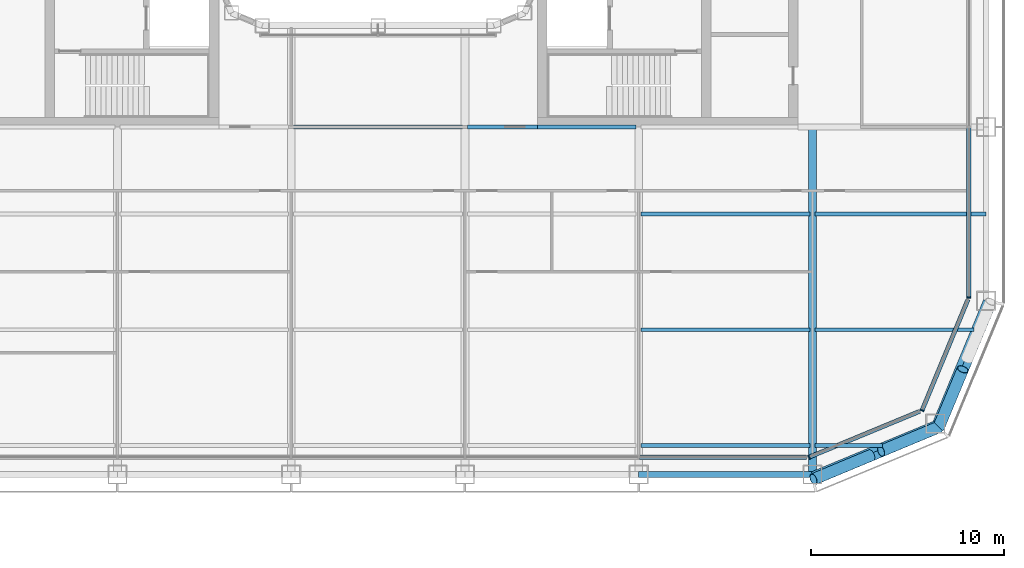
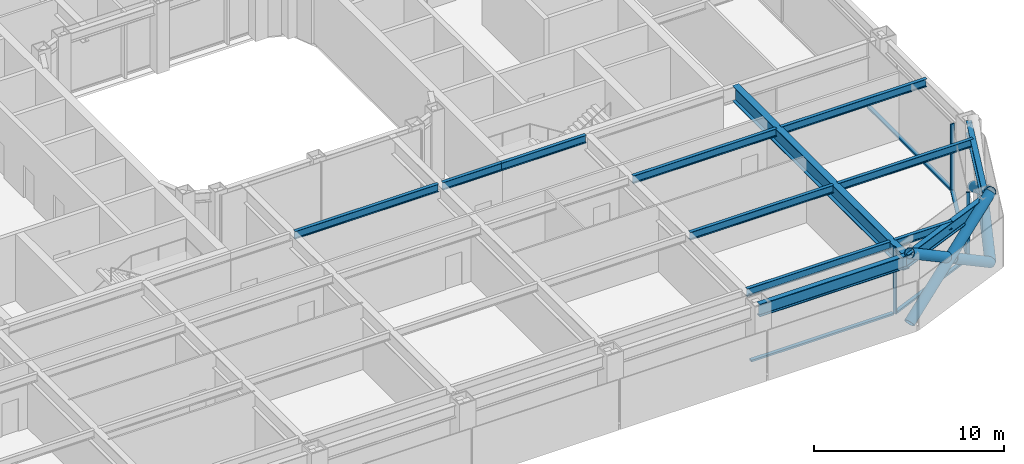
# One storey, part 4 of 27: 13 beams, 12 members, 4 elements without a shape of their own.
"""IFC4 building model written with IfcOpenShell, lengths in metres."""

import ifcopenshell
import ifcopenshell.guid

model = None  # the IFC model being written
_history = None  # IfcOwnerHistory: only IFC2X3 demands one
_inside = {}  # id of a spatial element -> (the spatial element, [elements in it])
_under = {}  # id of a project, library or spatial element -> (it, [spatial elements below it])
_declared = {}  # id of a project -> (the project, [libraries it declares])
_typed = {}  # id of a type object -> (the type object, [elements of that type])
_made_of = {}  # id of a material, layer set ... -> (it, [elements and type objects made of it])


def new_model(schema):
    """Start an empty IFC model of exactly this schema.

    Asked for "IFC4X3", IfcOpenShell would pick the latest addendum, in which some entities
    have other attributes; the version numbers below select the first issue.
    IFC2X3 requires an IfcOwnerHistory on every rooted entity: one is made here for all.
    """
    global model, _history
    if schema == "IFC4X3":
        model = ifcopenshell.file(schema_version=(4, 3, 0, 0))
    else:
        model = ifcopenshell.file(schema=schema)
    _inside.clear()
    _under.clear()
    _declared.clear()
    _typed.clear()
    _made_of.clear()
    _history = None
    if model.schema == "IFC2X3":
        org = make("IfcOrganization", Name="unknown")
        user = make(
            "IfcPersonAndOrganization",
            ThePerson=make("IfcPerson", FamilyName="unknown"),
            TheOrganization=org,
        )
        app = make(
            "IfcApplication",
            ApplicationDeveloper=org,
            Version="unknown",
            ApplicationFullName="unknown",
            ApplicationIdentifier="unknown",
        )
        _history = make(
            "IfcOwnerHistory",
            OwningUser=user,
            OwningApplication=app,
            ChangeAction="ADDED",
            CreationDate=0,
        )
    return model


def make(cls, **values):
    """One entity of the class cls with the attributes given. An attribute that is None is left unset."""
    return model.create_entity(
        cls, **{name: value for name, value in values.items() if value is not None}
    )


def rooted(cls, **values):
    """An entity with a GlobalId (a new one), such as an element, a storey or a relation."""
    return make(cls, GlobalId=ifcopenshell.guid.new(), OwnerHistory=_history, **values)


def si_unit(unit_type, name, prefix=None):
    """IfcSIUnit, for example si_unit("LENGTHUNIT", "METRE", prefix="MILLI")."""
    return make("IfcSIUnit", UnitType=unit_type, Prefix=prefix, Name=name)


def assignment(units):
    """IfcUnitAssignment: the units of a project."""
    return None if units is None else make("IfcUnitAssignment", Units=units)


def point(xyz):
    """IfcCartesianPoint."""
    return None if xyz is None else make("IfcCartesianPoint", Coordinates=xyz)


def direction(xyz):
    """IfcDirection."""
    return None if xyz is None else make("IfcDirection", DirectionRatios=xyz)


def frame(location, z_axis=None, x_axis=None):
    """IfcAxis2Placement3D, a coordinate frame: its origin and axes. An axis left out is left unset."""
    return make(
        "IfcAxis2Placement3D",
        Location=point(location),
        Axis=direction(z_axis),
        RefDirection=direction(x_axis),
    )


def frame_2d(location, x_axis=None):
    """IfcAxis2Placement2D, a coordinate frame in the plane: its origin and x axis."""
    return make(
        "IfcAxis2Placement2D", Location=point(location), RefDirection=direction(x_axis)
    )


def origin():
    """The frame at (0, 0, 0) with its axes left unset."""
    return frame((0.0, 0.0, 0.0))


def origin_2d():
    """The frame at (0, 0) in the plane with its x axis left unset."""
    return frame_2d((0.0, 0.0))


def place(relative_to, where):
    """IfcLocalPlacement: puts the frame where relative to a parent placement (None: the world)."""
    return make(
        "IfcLocalPlacement", PlacementRelTo=relative_to, RelativePlacement=where
    )


def context(
    kind, dimensions, precision=None, world=None, true_north=None, identifier=None
):
    """IfcGeometricRepresentationContext, for example the 3D "Model" context."""
    return make(
        "IfcGeometricRepresentationContext",
        ContextIdentifier=identifier,
        ContextType=kind,
        CoordinateSpaceDimension=dimensions,
        Precision=precision,
        WorldCoordinateSystem=world,
        TrueNorth=true_north,
    )


def subcontext(parent, identifier, kind, view, scale=None):
    """IfcGeometricRepresentationSubContext, for example "Body" below "Model"."""
    return make(
        "IfcGeometricRepresentationSubContext",
        ContextIdentifier=identifier,
        ContextType=kind,
        ParentContext=parent,
        TargetScale=scale,
        TargetView=view,
    )


def project(units=None, contexts=None):
    """IfcProject with its units and contexts."""
    return rooted(
        "IfcProject",
        Name="project",
        RepresentationContexts=contexts,
        UnitsInContext=assignment(units),
    )


def spatial(cls, under=None, at=None, **own):
    """A site, building, storey or space (cls), placed at a placement, below another one or the project."""
    s = rooted(cls, ObjectPlacement=at, **own)
    if under is not None:
        _under.setdefault(under.id(), (under, []))[1].append(s)
    return s


def profile(cls, at=None, kind="AREA", **sizes):
    """A parametric profile (cls). Its sizes go by their IFC names, for example OverallWidth=200.0."""
    return make(cls, ProfileType=kind, Position=at, **sizes)


def rectangle(**sizes):
    """IfcRectangleProfileDef."""
    return profile("IfcRectangleProfileDef", **sizes)


def hollow_circle(**sizes):
    """IfcCircleHollowProfileDef."""
    return profile("IfcCircleHollowProfileDef", **sizes)


def i_section(**sizes):
    """IfcIShapeProfileDef."""
    return profile("IfcIShapeProfileDef", **sizes)


def extrude(swept, where, along, depth):
    """IfcExtrudedAreaSolid: the profile swept, set in the frame where, extruded along a direction by depth."""
    return make(
        "IfcExtrudedAreaSolid",
        SweptArea=swept,
        Position=where,
        ExtrudedDirection=direction(along),
        Depth=depth,
    )


def shape(context_of_items, identifier, shape_type, items):
    """IfcShapeRepresentation: the items that make up one representation, for example the "Body"."""
    return make(
        "IfcShapeRepresentation",
        ContextOfItems=context_of_items,
        RepresentationIdentifier=identifier,
        RepresentationType=shape_type,
        Items=items,
    )


def material(Name=None, Category=None):
    """IfcMaterial."""
    return make("IfcMaterial", Name=Name, Category=Category)


def layer(
    of_material, thickness, ventilated=None, Name=None, Category=None, Priority=None
):
    """IfcMaterialLayer: one layer of a wall or slab, of a material (None: an air gap)."""
    return make(
        "IfcMaterialLayer",
        Material=of_material,
        LayerThickness=thickness,
        IsVentilated=ventilated,
        Name=Name,
        Category=Category,
        Priority=Priority,
    )


def layer_set(layers, Name=None):
    """IfcMaterialLayerSet."""
    return make("IfcMaterialLayerSet", MaterialLayers=layers, LayerSetName=Name)


def material_profile(
    of_material, cross_section, Name=None, Category=None, Priority=None
):
    """IfcMaterialProfile: a cross section and its material."""
    return make(
        "IfcMaterialProfile",
        Name=Name,
        Material=of_material,
        Profile=cross_section,
        Priority=Priority,
        Category=Category,
    )


def profile_set(profiles, Name=None, composite=None):
    """IfcMaterialProfileSet."""
    return make(
        "IfcMaterialProfileSet",
        Name=Name,
        MaterialProfiles=profiles,
        CompositeProfile=composite,
    )


def made_of(thing, what):
    """Note that an element or type object is made of a material, layer set ...; save() writes the relation."""
    if what is not None:
        _made_of.setdefault(what.id(), (what, []))[1].append(thing)
    return thing


def type_object(cls, material=None, **own):
    """A type object (cls), such as IfcWallType, which elements share."""
    return made_of(rooted(cls, **own), material)


def element(
    cls,
    number,
    at=None,
    inside=None,
    cuts=None,
    type_object=None,
    material=None,
    context=None,
    identifier="Body",
    shape_type=None,
    held_by="IfcProductDefinitionShape",
    body=None,
    shapes=None,
    **own,
):
    """One element of the class cls, such as IfcWall. Its Tag is "e" and its number.

    at: its placement. inside: the storey or other place that contains it. cuts: it is an
    opening in that element (IfcRelVoidsElement). A single representation is given by context,
    identifier, shape_type and body (its items); several are given by shapes. held_by: the class
    of the entity that holds the representations. save() writes the other relations.
    """
    e = rooted(cls, Tag="e%d" % number, ObjectPlacement=at, **own)
    if body is not None:
        shapes = [shape(context, identifier, shape_type, body)]
    if shapes is not None:
        e.Representation = make(held_by, Representations=shapes)
    if inside is not None:
        _inside.setdefault(inside.id(), (inside, []))[1].append(e)
    if cuts is not None:
        rooted(
            "IfcRelVoidsElement", RelatingBuildingElement=cuts, RelatedOpeningElement=e
        )
    if type_object is not None:
        _typed.setdefault(type_object.id(), (type_object, []))[1].append(e)
    return made_of(e, material)


def aggregate(whole, parts):
    """IfcRelAggregates: a whole, such as a stair, and the parts it consists of."""
    return rooted("IfcRelAggregates", RelatingObject=whole, RelatedObjects=parts)


def save(model, path):
    """Write the relations noted so far, then the file.

    IfcRelAggregates (storeys below a building ...), IfcRelContainedInSpatialStructure (elements
    in a storey), IfcRelDefinesByType, IfcRelAssociatesMaterial and IfcRelDeclares: one each for
    every whole, place, type object, material and project.
    """
    for whole, parts in _under.values():
        aggregate(whole, parts)
    for where, things in _inside.values():
        rooted(
            "IfcRelContainedInSpatialStructure",
            RelatedElements=things,
            RelatingStructure=where,
        )
    for kind, things in _typed.values():
        rooted("IfcRelDefinesByType", RelatedObjects=things, RelatingType=kind)
    for what, things in _made_of.values():
        rooted("IfcRelAssociatesMaterial", RelatedObjects=things, RelatingMaterial=what)
    for by, libraries in _declared.values():
        rooted("IfcRelDeclares", RelatingContext=by, RelatedDefinitions=libraries)
    model.write(path)


model = new_model("IFC4")

# Units and contexts
model_context = context("Model", 3, precision=1e-05, world=origin(), true_north=direction((0.0, 1.0)))
body_context = subcontext(model_context, "Body", "Model", "MODEL_VIEW")
ifc_project = project(units=[si_unit("LENGTHUNIT", "METRE"), si_unit("AREAUNIT", "SQUARE_METRE"), si_unit("VOLUMEUNIT", "CUBIC_METRE"), si_unit("PLANEANGLEUNIT", "RADIAN"), si_unit("MASSUNIT", "GRAM", prefix="KILO")], contexts=[model_context])

# Site, building, storey
site_placement = place(None, origin())
site = spatial("IfcSite", under=ifc_project, at=site_placement, CompositionType="ELEMENT")
building_placement = place(site_placement, origin())
building = spatial("IfcBuilding", under=site, at=building_placement, Name="Siwar Civic Tower", CompositionType="ELEMENT")
storey_placement = place(building_placement, frame((0.0, 0.0, 89.699951171875)))
storey = spatial("IfcBuildingStorey", under=building, at=storey_placement, Name="L19", CompositionType="ELEMENT", Elevation=89.699951171875)

# Curtain wall, member
ifc_material_1 = material(Name="Aluminium clad insulated panel", Category="aluminium")
ifc_layer_1 = layer(ifc_material_1, 0.219970703125)
ifc_layer_set_1 = layer_set([ifc_layer_1], Name="Aluminium clad insulated panel")
curtain_wall_type_1 = type_object("IfcCurtainWallType", Name="ENV-CW-AX", PredefinedType="NOTDEFINED", material=ifc_layer_set_1)
curtain_wall_1_placement = place(storey_placement, origin())
curtain_wall_1 = element("IfcCurtainWall", 1, at=curtain_wall_1_placement, inside=storey, type_object=curtain_wall_type_1, Name="Curtain wall A SE1", PredefinedType="NOTDEFINED")
ifc_material_2 = material(Name="Aluminium 6063-T6", Category="aluminium")
ifc_material_profile_1 = material_profile(ifc_material_2, rectangle(XDim=0.219970703125, YDim=0.070068359375, at=origin_2d()), Name="AL 220x70")
ifc_profile_set_1 = profile_set([ifc_material_profile_1], Name="Aluminium 6063-T6")
member_type_1 = type_object("IfcMemberType", Name="ENV-MULLION-A", PredefinedType="MULLION", material=ifc_profile_set_1)
member_1_placement = place(storey_placement, frame((22.321044921875, -30.60009765625, 0.0), z_axis=(0.0, 0.0, 1.0), x_axis=(-0.382683432365, 0.923879532511, 0.0)))
member_1 = element("IfcMember", 2, at=member_1_placement, type_object=member_type_1, Name="Mullion A SE1 1", PredefinedType="MULLION", context=body_context, shape_type="SweptSolid", body=[
    extrude(rectangle(XDim=0.219970703125, YDim=0.070068359375, at=origin_2d()), origin(), (0.0, 0.0, 1.0), 4.300048828125),
])

curtain_wall_2_placement = place(storey_placement, origin())
curtain_wall_2 = element("IfcCurtainWall", 3, at=curtain_wall_2_placement, inside=storey, type_object=curtain_wall_type_1, Name="Curtain wall A SE2", PredefinedType="NOTDEFINED")
member_2_placement = place(storey_placement, frame((28.175048828125, -28.175048828125, 0.0), z_axis=(0.0, 0.0, 1.0), x_axis=(-0.923879532511, 0.382683432365, 0.0)))
member_2 = element("IfcMember", 4, at=member_2_placement, type_object=member_type_1, Name="Mullion A SE2 1", PredefinedType="MULLION", context=body_context, shape_type="SweptSolid", body=[
    extrude(rectangle(XDim=0.219970703125, YDim=0.070068359375, at=origin_2d()), origin(), (0.0, 0.0, 1.0), 4.300048828125),
])

ifc_material_3 = material(Name="Aluminium and glass", Category="aluminium")
ifc_layer_2 = layer(ifc_material_3, 0.219970703125)
ifc_layer_set_2 = layer_set([ifc_layer_2], Name="Aluminium and glass")
curtain_wall_type_2 = type_object("IfcCurtainWallType", Name="ENV-CW-A", PredefinedType="NOTDEFINED", material=ifc_layer_set_2)
curtain_wall_3_placement = place(storey_placement, origin())
curtain_wall_3 = element("IfcCurtainWall", 5, at=curtain_wall_3_placement, inside=storey, type_object=curtain_wall_type_2, Name="Curtain wall A E", PredefinedType="NOTDEFINED")
member_3_placement = place(storey_placement, frame((30.60009765625, -22.321044921875, 0.0), z_axis=(0.0, 0.0, 1.0), x_axis=(-1.0, 0.0, 0.0)))
member_3 = element("IfcMember", 6, at=member_3_placement, type_object=member_type_1, Name="Mullion A E 1", PredefinedType="MULLION", context=body_context, shape_type="SweptSolid", body=[
    extrude(rectangle(XDim=0.219970703125, YDim=0.070068359375, at=origin_2d()), origin(), (0.0, 0.0, 1.0), 4.300048828125),
])

curtain_wall_4_placement = place(storey_placement, origin())
curtain_wall_4 = element("IfcCurtainWall", 7, at=curtain_wall_4_placement, inside=storey, type_object=curtain_wall_type_2, Name="Curtain wall A S", PredefinedType="NOTDEFINED")
ifc_material_4 = material(Name="Aluminium 6063-T6", Category="aluminium")
ifc_material_profile_2 = material_profile(ifc_material_4, rectangle(XDim=0.219970703125, YDim=0.1201171875, at=origin_2d()), Name="AL 220x120")
ifc_profile_set_2 = profile_set([ifc_material_profile_2], Name="Aluminium 6063-T6")
member_type_2 = type_object("IfcMemberType", Name="ENV-TRANSOM-A", PredefinedType="USERDEFINED", material=ifc_profile_set_2)
member_4_placement = place(storey_placement, frame((13.534912109375, -30.60009765625, 0.06005859375), z_axis=(1.0, 0.0, 0.0), x_axis=(0.0, 1.0, 0.0)))
member_4 = element("IfcMember", 8, at=member_4_placement, type_object=member_type_2, Name="Transom A S 5", ObjectType="TRANSOM", PredefinedType="USERDEFINED", context=body_context, shape_type="SweptSolid", body=[
    extrude(rectangle(XDim=0.219970703125, YDim=0.1201171875, at=origin_2d()), origin(), (0.0, 0.0, 1.0), 8.66357421875),
])
aggregate(curtain_wall_4, [member_4])

# Member
member_5_placement = place(storey_placement, frame((22.353271484375, -30.586669921875, 0.06005859375), z_axis=(0.923873326341, 0.382698415042, 0.0), x_axis=(-0.382698415042, 0.923873326341, 0.0)))
member_5 = element("IfcMember", 9, at=member_5_placement, type_object=member_type_2, Name="Transom A SE1 1", ObjectType="TRANSOM", PredefinedType="USERDEFINED", context=body_context, shape_type="SweptSolid", body=[
    extrude(rectangle(XDim=0.219970703125, YDim=0.1201171875, at=origin_2d()), origin(), (0.0, 0.0, 1.0), 6.17919921875),
])

aggregate(curtain_wall_1, [member_1, member_5])

member_6_placement = place(storey_placement, frame((28.1884765625, -28.142822265625, 0.06005859375), z_axis=(0.382698415042, 0.923873326341, 0.0), x_axis=(-0.923873326341, 0.382698415042, 0.0)))
member_6 = element("IfcMember", 10, at=member_6_placement, type_object=member_type_2, Name="Transom A SE2 1", ObjectType="TRANSOM", PredefinedType="USERDEFINED", context=body_context, shape_type="SweptSolid", body=[
    extrude(rectangle(XDim=0.219970703125, YDim=0.1201171875, at=origin_2d()), origin(), (0.0, 0.0, 1.0), 6.17919921875),
])

aggregate(curtain_wall_2, [member_2, member_6])

member_7_placement = place(storey_placement, frame((30.60009765625, -22.285888671875, 0.06005859375), z_axis=(0.0, 1.0, 0.0), x_axis=(-1.0, 0.0, 0.0)))
member_7 = element("IfcMember", 11, at=member_7_placement, type_object=member_type_2, Name="Transom A E 1", ObjectType="TRANSOM", PredefinedType="USERDEFINED", context=body_context, shape_type="SweptSolid", body=[
    extrude(rectangle(XDim=0.219970703125, YDim=0.1201171875, at=origin_2d()), origin(), (0.0, 0.0, 1.0), 8.7509765625),
])

aggregate(curtain_wall_3, [member_3, member_7])

# Members
ifc_material_5 = material(Name="Steel S355", Category="steel")
ifc_material_profile_3 = material_profile(ifc_material_5, hollow_circle(Radius=0.304931640625, WallThickness=0.030029296875, at=origin_2d()), Name="CHS610x30")
ifc_profile_set_3 = profile_set([ifc_material_profile_3], Name="Steel S355")
member_type_3 = type_object("IfcMemberType", Name="STR-BR-CHS610x30", PredefinedType="BRACE", material=ifc_profile_set_3)
member_8_placement = place(storey_placement, frame((31.7451171875, -22.548828125, 0.0), z_axis=(-0.323905527954, -0.777554562952, 0.538975055633), x_axis=(0.923108759191, -0.384538969033, 0.0)))
element("IfcMember", 12, at=member_8_placement, inside=storey, type_object=member_type_3, Name="L19/brc/ASE1-18-0-1", PredefinedType="BRACE", context=body_context, shape_type="SweptSolid", body=[
    extrude(hollow_circle(Radius=0.304931640625, WallThickness=0.030029296875, at=origin_2d()), origin(), (0.0, 0.0, 1.0), 8.34912109375),
])
member_9_placement = place(storey_placement, frame((29.040771484375, -29.040771484375, 0.0), z_axis=(0.323922979564, 0.777542179573, 0.53898243227), x_axis=(-0.923099230484, 0.384561842466, 0.0)))
element("IfcMember", 13, at=member_9_placement, inside=storey, type_object=member_type_3, Name="L19/brc/ASE1-18-0-2", PredefinedType="BRACE", context=body_context, shape_type="SweptSolid", body=[
    extrude(hollow_circle(Radius=0.304931640625, WallThickness=0.030029296875, at=origin_2d()), origin(), (0.0, 0.0, 1.0), 3.84375),
])
member_10_placement = place(storey_placement, frame((22.548828125, -31.7451171875, 0.0), z_axis=(0.777554562952, 0.323905527954, 0.538975055633), x_axis=(-0.384538969033, 0.923108759191, 0.0)))
element("IfcMember", 14, at=member_10_placement, inside=storey, type_object=member_type_3, Name="L19/brc/ASE1-18-0-0", PredefinedType="BRACE", context=body_context, shape_type="SweptSolid", body=[
    extrude(hollow_circle(Radius=0.304931640625, WallThickness=0.030029296875, at=origin_2d()), origin(), (0.0, 0.0, 1.0), 8.34912109375),
])
member_11_placement = place(storey_placement, frame((29.040771484375, -29.040771484375, 0.0), z_axis=(-0.777542179573, -0.323922979564, 0.53898243227), x_axis=(0.384561842466, -0.923099230484, 0.0)))
element("IfcMember", 15, at=member_11_placement, inside=storey, type_object=member_type_3, Name="L19/brc/ASE1-18-0-4", PredefinedType="BRACE", context=body_context, shape_type="SweptSolid", body=[
    extrude(hollow_circle(Radius=0.304931640625, WallThickness=0.030029296875, at=origin_2d()), origin(), (0.0, 0.0, 1.0), 3.84375),
])
member_12_placement = place(storey_placement, frame((25.537353515625, -30.500244140625, 2.428466796875), z_axis=(-0.777559680196, -0.3238932121, 0.53897507446), x_axis=(0.384524353215, -0.923114847559, 0.0)))
element("IfcMember", 16, at=member_12_placement, inside=storey, type_object=member_type_3, Name="L19/brc/ASE1-18-0-5", PredefinedType="BRACE", context=body_context, shape_type="SweptSolid", body=[
    extrude(hollow_circle(Radius=0.304931640625, WallThickness=0.030029296875, at=origin_2d()), origin(), (0.0, 0.0, 1.0), 3.843505859375),
])

# Beams
ifc_material_6 = material(Name="Steel S355", Category="steel")
ifc_material_profile_4 = material_profile(ifc_material_6, i_section(OverallWidth=0.199951171875, OverallDepth=0.5, WebThickness=0.01025390625, FlangeThickness=0.01611328125, FilletRadius=0.02099609375, at=origin_2d()), Name="IPE500")
ifc_profile_set_4 = profile_set([ifc_material_profile_4], Name="Steel S355")
beam_type_1 = type_object("IfcBeamType", Name="STR-FB-IPE500", PredefinedType="JOIST", material=ifc_profile_set_4)
beam_1_placement = place(storey_placement, frame((13.6298828125, -30.0, 4.050048828125), z_axis=(1.0, 0.0, 0.0), x_axis=(0.0, 1.0, 0.0)))
element("IfcBeam", 17, at=beam_1_placement, inside=storey, type_object=beam_type_1, Name="L19/bm/F006", PredefinedType="JOIST", context=body_context, shape_type="SweptSolid", body=[
    extrude(i_section(OverallWidth=0.199951171875, OverallDepth=0.5, WebThickness=0.01025390625, FlangeThickness=0.01611328125, FilletRadius=0.02099609375, at=origin_2d()), origin(), (0.0, 0.0, 1.0), 8.740234375),
])
beam_2_placement = place(storey_placement, frame((22.6298828125, -30.0, 4.050048828125), z_axis=(1.0, 0.0, 0.0), x_axis=(0.0, 1.0, 0.0)))
element("IfcBeam", 18, at=beam_2_placement, inside=storey, type_object=beam_type_1, Name="L19/bm/F007", PredefinedType="JOIST", context=body_context, shape_type="SweptSolid", body=[
    extrude(i_section(OverallWidth=0.199951171875, OverallDepth=0.5, WebThickness=0.01025390625, FlangeThickness=0.01611328125, FilletRadius=0.02099609375, at=origin_2d()), origin(), (0.0, 0.0, 1.0), 3.491455078125),
])
beam_3_placement = place(storey_placement, frame((13.6298828125, -24.0, 4.050048828125), z_axis=(1.0, 0.0, 0.0), x_axis=(0.0, 1.0, 0.0)))
element("IfcBeam", 19, at=beam_3_placement, inside=storey, type_object=beam_type_1, Name="L19/bm/F013", PredefinedType="JOIST", context=body_context, shape_type="SweptSolid", body=[
    extrude(i_section(OverallWidth=0.199951171875, OverallDepth=0.5, WebThickness=0.01025390625, FlangeThickness=0.01611328125, FilletRadius=0.02099609375, at=origin_2d()), origin(), (0.0, 0.0, 1.0), 8.740234375),
])
beam_4_placement = place(storey_placement, frame((22.6298828125, -24.0, 4.050048828125), z_axis=(1.0, 0.0, 0.0), x_axis=(0.0, 1.0, 0.0)))
element("IfcBeam", 20, at=beam_4_placement, inside=storey, type_object=beam_type_1, Name="L19/bm/F014", PredefinedType="JOIST", context=body_context, shape_type="SweptSolid", body=[
    extrude(i_section(OverallWidth=0.199951171875, OverallDepth=0.5, WebThickness=0.01025390625, FlangeThickness=0.01611328125, FilletRadius=0.02099609375, at=origin_2d()), origin(), (0.0, 0.0, 1.0), 8.248779296875),
])
beam_5_placement = place(storey_placement, frame((13.6298828125, -18.0, 4.050048828125), z_axis=(1.0, 0.0, 0.0), x_axis=(0.0, 1.0, 0.0)))
element("IfcBeam", 21, at=beam_5_placement, inside=storey, type_object=beam_type_1, Name="L19/bm/F020", PredefinedType="JOIST", context=body_context, shape_type="SweptSolid", body=[
    extrude(i_section(OverallWidth=0.199951171875, OverallDepth=0.5, WebThickness=0.01025390625, FlangeThickness=0.01611328125, FilletRadius=0.02099609375, at=origin_2d()), origin(), (0.0, 0.0, 1.0), 8.740234375),
])
beam_6_placement = place(storey_placement, frame((22.6298828125, -18.0, 4.050048828125), z_axis=(1.0, 0.0, 0.0), x_axis=(0.0, 1.0, 0.0)))
element("IfcBeam", 22, at=beam_6_placement, inside=storey, type_object=beam_type_1, Name="L19/bm/F021", PredefinedType="JOIST", context=body_context, shape_type="SweptSolid", body=[
    extrude(i_section(OverallWidth=0.199951171875, OverallDepth=0.5, WebThickness=0.01025390625, FlangeThickness=0.01611328125, FilletRadius=0.02099609375, at=origin_2d()), origin(), (0.0, 0.0, 1.0), 8.8701171875),
])
beam_7_placement = place(storey_placement, frame((-4.3701171875, -13.5, 4.050048828125), z_axis=(1.0, 0.0, 0.0), x_axis=(0.0, 1.0, 0.0)))
element("IfcBeam", 23, at=beam_7_placement, inside=storey, type_object=beam_type_1, Name="L19/bm/F026", PredefinedType="JOIST", context=body_context, shape_type="SweptSolid", body=[
    extrude(i_section(OverallWidth=0.199951171875, OverallDepth=0.5, WebThickness=0.01025390625, FlangeThickness=0.01611328125, FilletRadius=0.02099609375, at=origin_2d()), origin(), (0.0, 0.0, 1.0), 8.740234375),
])
beam_8_placement = place(storey_placement, frame((4.6298828125, -13.5, 4.050048828125), z_axis=(1.0, 0.0, 0.0), x_axis=(0.0, 1.0, 0.0)))
element("IfcBeam", 24, at=beam_8_placement, inside=storey, type_object=beam_type_1, Name="L19/bm/F027", PredefinedType="JOIST", context=body_context, shape_type="SweptSolid", body=[
    extrude(i_section(OverallWidth=0.199951171875, OverallDepth=0.5, WebThickness=0.01025390625, FlangeThickness=0.01611328125, FilletRadius=0.02099609375, at=origin_2d()), origin(), (0.0, 0.0, 1.0), 3.6201171875),
])
beam_9_placement = place(storey_placement, frame((8.25, -13.5, 4.050048828125), z_axis=(1.0, 0.0, 0.0), x_axis=(0.0, 1.0, 0.0)))
element("IfcBeam", 25, at=beam_9_placement, inside=storey, type_object=beam_type_1, Name="L19/bm/F028", PredefinedType="JOIST", context=body_context, shape_type="SweptSolid", body=[
    extrude(i_section(OverallWidth=0.199951171875, OverallDepth=0.5, WebThickness=0.01025390625, FlangeThickness=0.01611328125, FilletRadius=0.02099609375, at=origin_2d()), origin(), (0.0, 0.0, 1.0), 5.1201171875),
])
ifc_material_7 = material(Name="Steel S355", Category="steel")
ifc_material_profile_5 = material_profile(ifc_material_7, i_section(OverallWidth=0.39990234375, OverallDepth=1.0, WebThickness=0.01611328125, FlangeThickness=0.0400390625, at=origin_2d()), Name="PG1000x400x16x40")
ifc_profile_set_5 = profile_set([ifc_material_profile_5], Name="Steel S355")
beam_type_2 = type_object("IfcBeamType", Name="STR-PG-PG1000x400x16x40", PredefinedType="BEAM", material=ifc_profile_set_5)
beam_10_placement = place(storey_placement, frame((22.5, -31.5, 3.800048828125), z_axis=(0.0, 1.0, 0.0), x_axis=(-1.0, 0.0, 0.0)))
element("IfcBeam", 26, at=beam_10_placement, inside=storey, type_object=beam_type_2, Name="L19/bm/G11", PredefinedType="BEAM", context=body_context, shape_type="SweptSolid", body=[
    extrude(i_section(OverallWidth=0.39990234375, OverallDepth=1.0, WebThickness=0.01611328125, FlangeThickness=0.0400390625, at=origin_2d()), origin(), (0.0, 0.0, 1.0), 18.0),
])
ifc_material_8 = material(Name="Steel S355", Category="steel")
ifc_material_profile_6 = material_profile(ifc_material_8, i_section(OverallWidth=0.302978515625, OverallDepth=0.81396484375, WebThickness=0.02099609375, FlangeThickness=0.0400390625, FilletRadius=0.030029296875, at=origin_2d()), Name="HEM800")
ifc_profile_set_6 = profile_set([ifc_material_profile_6], Name="Steel S355")
beam_type_3 = type_object("IfcBeamType", Name="STR-SB-HEM800", PredefinedType="BEAM", material=ifc_profile_set_6)
beam_11_placement = place(storey_placement, frame((13.5, -31.5, 3.89306640625), z_axis=(1.0, 0.0, 0.0), x_axis=(0.0, 1.0, 0.0)))
element("IfcBeam", 27, at=beam_11_placement, inside=storey, type_object=beam_type_3, Name="L19/bm/SS-4", PredefinedType="BEAM", context=body_context, shape_type="SweptSolid", body=[
    extrude(i_section(OverallWidth=0.302978515625, OverallDepth=0.81396484375, WebThickness=0.02099609375, FlangeThickness=0.0400390625, FilletRadius=0.030029296875, at=origin_2d()), origin(), (0.0, 0.0, 1.0), 9.0),
])
for number, where, z_axis, x_axis, name in (
    (28, (22.5, -31.5, 3.89306640625), (0.923883353507, 0.382674207535, 0.0), (-0.382674207535, 0.923883353507, 0.0), "L19/bm/SSE1-0"),
    (29, (28.864013671875, -28.864013671875, 3.89306640625), (0.382674207535, 0.923883353507, 0.0), (-0.923883353507, 0.382674207535, 0.0), "L19/bm/SSE2-0"),
):
    element("IfcBeam", number, at=place(storey_placement, frame(where, z_axis=z_axis, x_axis=x_axis)), inside=storey, type_object=beam_type_3, Name=name, PredefinedType="BEAM", context=body_context, shape_type="SweptSolid", body=[
        extrude(i_section(OverallWidth=0.302978515625, OverallDepth=0.81396484375, WebThickness=0.02099609375, FlangeThickness=0.0400390625, FilletRadius=0.030029296875, at=origin_2d()), origin(), (0.0, 0.0, 1.0), 6.888427734375),
    ])

save(model, "model.ifc")
